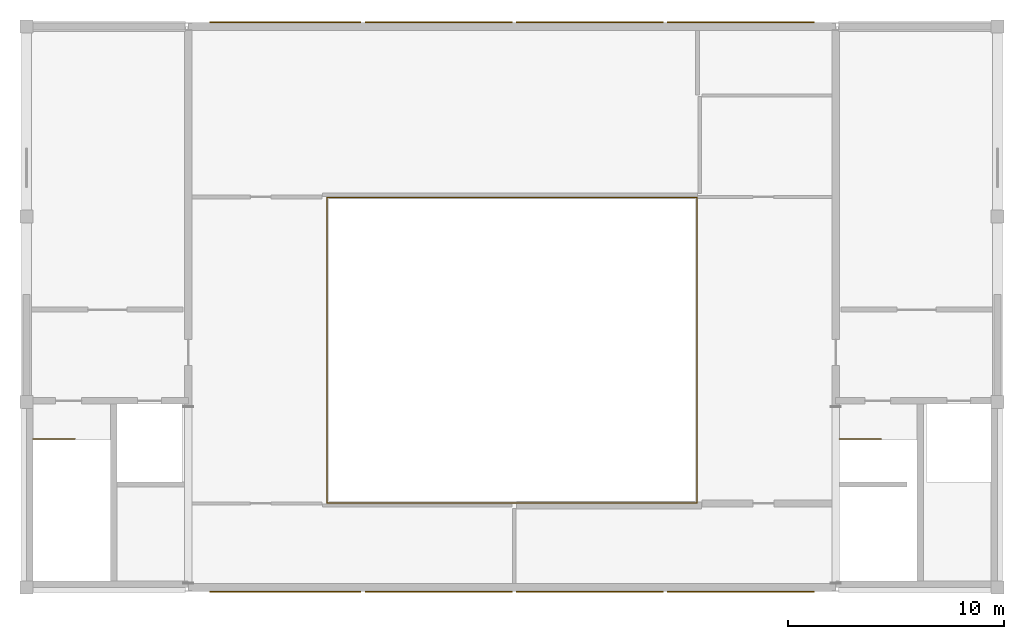
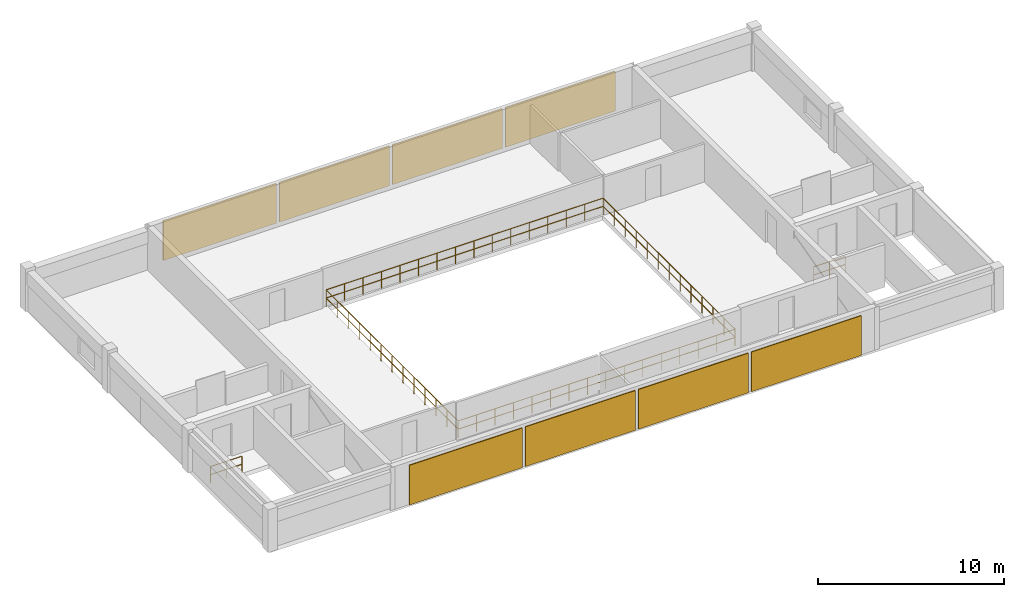
# One storey, part 6 of 6: 8 coverings, 6 railings.
"""IFC4 building model written with IfcOpenShell, lengths in metres."""

from ifc_helpers import new_model, si_unit, direction, frame, origin, origin_2d, place, context, subcontext, project, spatial, rectangle, circle, extrude, material, layer, layer_set, type_object, element, save


model = new_model("IFC4")

# Units and contexts
model_context = context("Model", 3, precision=1e-05, world=origin(), true_north=direction((0.0, 1.0)))
body_context = subcontext(model_context, "Body", "Model", "MODEL_VIEW")
ifc_project = project(units=[si_unit("LENGTHUNIT", "METRE"), si_unit("AREAUNIT", "SQUARE_METRE"), si_unit("VOLUMEUNIT", "CUBIC_METRE"), si_unit("PLANEANGLEUNIT", "RADIAN"), si_unit("MASSUNIT", "GRAM", prefix="KILO")], contexts=[model_context])

# Site, building, storey
site_placement = place(None, origin())
site = spatial("IfcSite", under=ifc_project, at=site_placement, CompositionType="ELEMENT")
building_placement = place(site_placement, origin())
building = spatial("IfcBuilding", under=site, at=building_placement, Name="Muzn Square Opera House", CompositionType="ELEMENT")
storey_placement = place(building_placement, frame((0.0, 0.0, 28.199951171875)))
storey = spatial("IfcBuildingStorey", under=building, at=storey_placement, Name="L06", CompositionType="ELEMENT", Elevation=28.199951171875)

# Railings
ifc_material_1 = material(Name="Architectural bronze mashrabiya", Category="metal")
railing_type_1 = type_object("IfcRailingType", Name="Bronze Protective Balustrade 1120mm", PredefinedType="BALUSTRADE", material=ifc_material_1)
railing_1_placement = place(storey_placement, frame((79.419921875, 76.52001953125, 0.0)))
element("IfcRailing", 1, at=railing_1_placement, inside=storey, type_object=railing_type_1, Name="Void Edge Balustrade L06-0071", PredefinedType="BALUSTRADE", context=body_context, shape_type="SweptSolid", body=[
    extrude(circle(Radius=0.02392578125, at=origin_2d()), frame((0.0, 0.0, 1.09619140625), z_axis=(1.0, 0.0, 0.0), x_axis=(0.0, 1.0, 0.0)), (0.0, 0.0, 1.0), 17.16015625),
    extrude(circle(Radius=0.02392578125, at=origin_2d()), frame((0.0, 0.0, 0.56005859375), z_axis=(1.0, 0.0, 0.0), x_axis=(0.0, 1.0, 0.0)), (0.0, 0.0, 1.0), 17.16015625),
    extrude(circle(Radius=0.02099609375, at=origin_2d()), origin(), (0.0, 0.0, 1.0), 1.072021484375),
    extrude(circle(Radius=0.02099609375, at=origin_2d()), frame((1.14404296875, 0.0, 0.0)), (0.0, 0.0, 1.0), 1.072021484375),
    extrude(circle(Radius=0.02099609375, at=origin_2d()), frame((2.2880859375, 0.0, 0.0)), (0.0, 0.0, 1.0), 1.072021484375),
    extrude(circle(Radius=0.02099609375, at=origin_2d()), frame((3.43212890625, 0.0, 0.0)), (0.0, 0.0, 1.0), 1.072021484375),
    extrude(circle(Radius=0.02099609375, at=origin_2d()), frame((4.575927734375, 0.0, 0.0)), (0.0, 0.0, 1.0), 1.072021484375),
    extrude(circle(Radius=0.02099609375, at=origin_2d()), frame((5.719970703125, 0.0, 0.0)), (0.0, 0.0, 1.0), 1.072021484375),
    extrude(circle(Radius=0.02099609375, at=origin_2d()), frame((6.864013671875, 0.0, 0.0)), (0.0, 0.0, 1.0), 1.072021484375),
    extrude(circle(Radius=0.02099609375, at=origin_2d()), frame((8.008056640625, 0.0, 0.0)), (0.0, 0.0, 1.0), 1.072021484375),
    extrude(circle(Radius=0.02099609375, at=origin_2d()), frame((9.152099609375, 0.0, 0.0)), (0.0, 0.0, 1.0), 1.072021484375),
    extrude(circle(Radius=0.02099609375, at=origin_2d()), frame((10.296142578125, 0.0, 0.0)), (0.0, 0.0, 1.0), 1.072021484375),
    extrude(circle(Radius=0.02099609375, at=origin_2d()), frame((11.440185546875, 0.0, 0.0)), (0.0, 0.0, 1.0), 1.072021484375),
    extrude(circle(Radius=0.02099609375, at=origin_2d()), frame((12.584228515625, 0.0, 0.0)), (0.0, 0.0, 1.0), 1.072021484375),
    extrude(circle(Radius=0.02099609375, at=origin_2d()), frame((13.72802734375, 0.0, 0.0)), (0.0, 0.0, 1.0), 1.072021484375),
    extrude(circle(Radius=0.02099609375, at=origin_2d()), frame((14.8720703125, 0.0, 0.0)), (0.0, 0.0, 1.0), 1.072021484375),
    extrude(circle(Radius=0.02099609375, at=origin_2d()), frame((16.01611328125, 0.0, 0.0)), (0.0, 0.0, 1.0), 1.072021484375),
    extrude(circle(Radius=0.02099609375, at=origin_2d()), frame((17.16015625, 0.0, 0.0)), (0.0, 0.0, 1.0), 1.072021484375),
])
railing_2_placement = place(storey_placement, frame((96.580078125, 76.52001953125, 0.0)))
element("IfcRailing", 2, at=railing_2_placement, inside=storey, type_object=railing_type_1, Name="Void Edge Balustrade L06-0072", PredefinedType="BALUSTRADE", context=body_context, shape_type="SweptSolid", body=[
    extrude(circle(Radius=0.02392578125, at=origin_2d()), frame((0.0, 0.0, 1.09619140625), z_axis=(0.0, 1.0, 0.0), x_axis=(-1.0, 0.0, 0.0)), (0.0, 0.0, 1.0), 14.159912109375),
    extrude(circle(Radius=0.02392578125, at=origin_2d()), frame((0.0, 0.0, 0.56005859375), z_axis=(0.0, 1.0, 0.0), x_axis=(-1.0, 0.0, 0.0)), (0.0, 0.0, 1.0), 14.159912109375),
    extrude(circle(Radius=0.02099609375, at=origin_2d()), origin(), (0.0, 0.0, 1.0), 1.072021484375),
    extrude(circle(Radius=0.02099609375, at=origin_2d()), frame((0.0, 1.179931640625, 0.0)), (0.0, 0.0, 1.0), 1.072021484375),
    extrude(circle(Radius=0.02099609375, at=origin_2d()), frame((0.0, 2.35986328125, 0.0)), (0.0, 0.0, 1.0), 1.072021484375),
    extrude(circle(Radius=0.02099609375, at=origin_2d()), frame((0.0, 3.5400390625, 0.0)), (0.0, 0.0, 1.0), 1.072021484375),
    extrude(circle(Radius=0.02099609375, at=origin_2d()), frame((0.0, 4.719970703125, 0.0)), (0.0, 0.0, 1.0), 1.072021484375),
    extrude(circle(Radius=0.02099609375, at=origin_2d()), frame((0.0, 5.89990234375, 0.0)), (0.0, 0.0, 1.0), 1.072021484375),
    extrude(circle(Radius=0.02099609375, at=origin_2d()), frame((0.0, 7.080078125, 0.0)), (0.0, 0.0, 1.0), 1.072021484375),
    extrude(circle(Radius=0.02099609375, at=origin_2d()), frame((0.0, 8.260009765625, 0.0)), (0.0, 0.0, 1.0), 1.072021484375),
    extrude(circle(Radius=0.02099609375, at=origin_2d()), frame((0.0, 9.43994140625, 0.0)), (0.0, 0.0, 1.0), 1.072021484375),
    extrude(circle(Radius=0.02099609375, at=origin_2d()), frame((0.0, 10.619873046875, 0.0)), (0.0, 0.0, 1.0), 1.072021484375),
    extrude(circle(Radius=0.02099609375, at=origin_2d()), frame((0.0, 11.7998046875, 0.0)), (0.0, 0.0, 1.0), 1.072021484375),
    extrude(circle(Radius=0.02099609375, at=origin_2d()), frame((0.0, 12.97998046875, 0.0)), (0.0, 0.0, 1.0), 1.072021484375),
    extrude(circle(Radius=0.02099609375, at=origin_2d()), frame((0.0, 14.159912109375, 0.0)), (0.0, 0.0, 1.0), 1.072021484375),
])
railing_3_placement = place(storey_placement, frame((96.580078125, 90.679931640625, 0.0)))
element("IfcRailing", 3, at=railing_3_placement, inside=storey, type_object=railing_type_1, Name="Void Edge Balustrade L06-0073", PredefinedType="BALUSTRADE", context=body_context, shape_type="SweptSolid", body=[
    extrude(circle(Radius=0.02392578125, at=origin_2d()), frame((0.0, 0.0, 1.09619140625), z_axis=(-1.0, 0.0, 0.0), x_axis=(0.0, -1.0, 0.0)), (0.0, 0.0, 1.0), 17.16015625),
    extrude(circle(Radius=0.02392578125, at=origin_2d()), frame((0.0, 0.0, 0.56005859375), z_axis=(-1.0, 0.0, 0.0), x_axis=(0.0, -1.0, 0.0)), (0.0, 0.0, 1.0), 17.16015625),
    extrude(circle(Radius=0.02099609375, at=origin_2d()), origin(), (0.0, 0.0, 1.0), 1.072021484375),
    extrude(circle(Radius=0.02099609375, at=origin_2d()), frame((-1.14404296875, 0.0, 0.0)), (0.0, 0.0, 1.0), 1.072021484375),
    extrude(circle(Radius=0.02099609375, at=origin_2d()), frame((-2.2880859375, 0.0, 0.0)), (0.0, 0.0, 1.0), 1.072021484375),
    extrude(circle(Radius=0.02099609375, at=origin_2d()), frame((-3.43212890625, 0.0, 0.0)), (0.0, 0.0, 1.0), 1.072021484375),
    extrude(circle(Radius=0.02099609375, at=origin_2d()), frame((-4.575927734375, 0.0, 0.0)), (0.0, 0.0, 1.0), 1.072021484375),
    extrude(circle(Radius=0.02099609375, at=origin_2d()), frame((-5.719970703125, 0.0, 0.0)), (0.0, 0.0, 1.0), 1.072021484375),
    extrude(circle(Radius=0.02099609375, at=origin_2d()), frame((-6.864013671875, 0.0, 0.0)), (0.0, 0.0, 1.0), 1.072021484375),
    extrude(circle(Radius=0.02099609375, at=origin_2d()), frame((-8.008056640625, 0.0, 0.0)), (0.0, 0.0, 1.0), 1.072021484375),
    extrude(circle(Radius=0.02099609375, at=origin_2d()), frame((-9.152099609375, 0.0, 0.0)), (0.0, 0.0, 1.0), 1.072021484375),
    extrude(circle(Radius=0.02099609375, at=origin_2d()), frame((-10.296142578125, 0.0, 0.0)), (0.0, 0.0, 1.0), 1.072021484375),
    extrude(circle(Radius=0.02099609375, at=origin_2d()), frame((-11.440185546875, 0.0, 0.0)), (0.0, 0.0, 1.0), 1.072021484375),
    extrude(circle(Radius=0.02099609375, at=origin_2d()), frame((-12.584228515625, 0.0, 0.0)), (0.0, 0.0, 1.0), 1.072021484375),
    extrude(circle(Radius=0.02099609375, at=origin_2d()), frame((-13.72802734375, 0.0, 0.0)), (0.0, 0.0, 1.0), 1.072021484375),
    extrude(circle(Radius=0.02099609375, at=origin_2d()), frame((-14.8720703125, 0.0, 0.0)), (0.0, 0.0, 1.0), 1.072021484375),
    extrude(circle(Radius=0.02099609375, at=origin_2d()), frame((-16.01611328125, 0.0, 0.0)), (0.0, 0.0, 1.0), 1.072021484375),
    extrude(circle(Radius=0.02099609375, at=origin_2d()), frame((-17.16015625, 0.0, 0.0)), (0.0, 0.0, 1.0), 1.072021484375),
])
railing_4_placement = place(storey_placement, frame((79.419921875, 90.679931640625, 0.0)))
element("IfcRailing", 4, at=railing_4_placement, inside=storey, type_object=railing_type_1, Name="Void Edge Balustrade L06-0074", PredefinedType="BALUSTRADE", context=body_context, shape_type="SweptSolid", body=[
    extrude(circle(Radius=0.02392578125, at=origin_2d()), frame((0.0, 0.0, 1.09619140625), z_axis=(0.0, -1.0, 0.0), x_axis=(1.0, 0.0, 0.0)), (0.0, 0.0, 1.0), 14.159912109375),
    extrude(circle(Radius=0.02392578125, at=origin_2d()), frame((0.0, 0.0, 0.56005859375), z_axis=(0.0, -1.0, 0.0), x_axis=(1.0, 0.0, 0.0)), (0.0, 0.0, 1.0), 14.159912109375),
    extrude(circle(Radius=0.02099609375, at=origin_2d()), origin(), (0.0, 0.0, 1.0), 1.072021484375),
    extrude(circle(Radius=0.02099609375, at=origin_2d()), frame((0.0, -1.179931640625, 0.0)), (0.0, 0.0, 1.0), 1.072021484375),
    extrude(circle(Radius=0.02099609375, at=origin_2d()), frame((0.0, -2.35986328125, 0.0)), (0.0, 0.0, 1.0), 1.072021484375),
    extrude(circle(Radius=0.02099609375, at=origin_2d()), frame((0.0, -3.5400390625, 0.0)), (0.0, 0.0, 1.0), 1.072021484375),
    extrude(circle(Radius=0.02099609375, at=origin_2d()), frame((0.0, -4.719970703125, 0.0)), (0.0, 0.0, 1.0), 1.072021484375),
    extrude(circle(Radius=0.02099609375, at=origin_2d()), frame((0.0, -5.89990234375, 0.0)), (0.0, 0.0, 1.0), 1.072021484375),
    extrude(circle(Radius=0.02099609375, at=origin_2d()), frame((0.0, -7.080078125, 0.0)), (0.0, 0.0, 1.0), 1.072021484375),
    extrude(circle(Radius=0.02099609375, at=origin_2d()), frame((0.0, -8.260009765625, 0.0)), (0.0, 0.0, 1.0), 1.072021484375),
    extrude(circle(Radius=0.02099609375, at=origin_2d()), frame((0.0, -9.43994140625, 0.0)), (0.0, 0.0, 1.0), 1.072021484375),
    extrude(circle(Radius=0.02099609375, at=origin_2d()), frame((0.0, -10.619873046875, 0.0)), (0.0, 0.0, 1.0), 1.072021484375),
    extrude(circle(Radius=0.02099609375, at=origin_2d()), frame((0.0, -11.7998046875, 0.0)), (0.0, 0.0, 1.0), 1.072021484375),
    extrude(circle(Radius=0.02099609375, at=origin_2d()), frame((0.0, -12.97998046875, 0.0)), (0.0, 0.0, 1.0), 1.072021484375),
    extrude(circle(Radius=0.02099609375, at=origin_2d()), frame((0.0, -14.159912109375, 0.0)), (0.0, 0.0, 1.0), 1.072021484375),
])

# Coverings
ifc_material_2 = material(Name="Honed Riyadh limestone", Category="stone")
ifc_layer = layer(ifc_material_2, 0.06005859375, Name="Honed Riyadh limestone", Category="stone")
ifc_layer_set = layer_set([ifc_layer], Name="Honed Riyadh limestone")
covering_type = type_object("IfcCoveringType", Name="Honed Riyadh Limestone Facade Cladding", PredefinedType="CLADDING", material=ifc_layer_set)
covering_1_placement = place(storey_placement, frame((77.5, 72.39990234375, 0.0), z_axis=(0.0, 0.0, 1.0), x_axis=(1.0, 0.0, 0.0)))
element("IfcCovering", 5, at=covering_1_placement, inside=storey, type_object=covering_type, Name="Honed Riyadh Limestone Cladding Panel CLD-FT-L06-17", PredefinedType="CLADDING", context=body_context, shape_type="SweptSolid", body=[
    extrude(rectangle(XDim=7.0, YDim=0.06005859375, at=origin_2d()), origin(), (0.0, 0.0, 1.0), 2.60009765625),
])
for number, where, z_axis, x_axis, name in (
    (6, (84.60009765625, 72.39990234375, 0.0), (0.0, 0.0, 1.0), (1.0, 0.0, 0.0), "Honed Riyadh Limestone Cladding Panel CLD-FT-L06-18"),
    (7, (91.60009765625, 72.39990234375, 0.0), (0.0, 0.0, 1.0), (1.0, 0.0, 0.0), "Honed Riyadh Limestone Cladding Panel CLD-FT-L06-19"),
    (8, (98.60009765625, 72.39990234375, 0.0), (0.0, 0.0, 1.0), (1.0, 0.0, 0.0), "Honed Riyadh Limestone Cladding Panel CLD-FT-L06-20"),
):
    element("IfcCovering", number, at=place(storey_placement, frame(where, z_axis=z_axis, x_axis=x_axis)), inside=storey, type_object=covering_type, Name=name, PredefinedType="CLADDING", context=body_context, shape_type="SweptSolid", body=[
        extrude(rectangle(XDim=6.800048828125, YDim=0.06005859375, at=origin_2d()), origin(), (0.0, 0.0, 1.0), 2.60009765625),
    ])
covering_2_placement = place(storey_placement, frame((77.5, 98.800048828125, 0.0), z_axis=(0.0, 0.0, 1.0), x_axis=(1.0, 0.0, 0.0)))
element("IfcCovering", 9, at=covering_2_placement, inside=storey, type_object=covering_type, Name="Honed Riyadh Limestone Cladding Panel CLD-FT-L06-21", PredefinedType="CLADDING", context=body_context, shape_type="SweptSolid", body=[
    extrude(rectangle(XDim=7.0, YDim=0.06005859375, at=origin_2d()), origin(), (0.0, 0.0, 1.0), 2.60009765625),
])
for number, where, z_axis, x_axis, name in (
    (10, (84.60009765625, 98.800048828125, 0.0), (0.0, 0.0, 1.0), (1.0, 0.0, 0.0), "Honed Riyadh Limestone Cladding Panel CLD-FT-L06-22"),
    (11, (91.60009765625, 98.800048828125, 0.0), (0.0, 0.0, 1.0), (1.0, 0.0, 0.0), "Honed Riyadh Limestone Cladding Panel CLD-FT-L06-23"),
    (12, (98.60009765625, 98.800048828125, 0.0), (0.0, 0.0, 1.0), (1.0, 0.0, 0.0), "Honed Riyadh Limestone Cladding Panel CLD-FT-L06-24"),
):
    element("IfcCovering", number, at=place(storey_placement, frame(where, z_axis=z_axis, x_axis=x_axis)), inside=storey, type_object=covering_type, Name=name, PredefinedType="CLADDING", context=body_context, shape_type="SweptSolid", body=[
        extrude(rectangle(XDim=6.800048828125, YDim=0.06005859375, at=origin_2d()), origin(), (0.0, 0.0, 1.0), 2.60009765625),
    ])

# Railings
ifc_material_3 = material(Name="Brushed stainless steel", Category="metal")
railing_type_2 = type_object("IfcRailingType", Name="Stair Guard Railing 1120mm", PredefinedType="GUARDRAIL", material=ifc_material_3)
railing_5_placement = place(storey_placement, frame((65.800048828125, 79.489990234375, 0.0)))
element("IfcRailing", 13, at=railing_5_placement, inside=storey, type_object=railing_type_2, Name="L06 ST-1 top well guard 1", PredefinedType="GUARDRAIL", context=body_context, shape_type="SweptSolid", body=[
    extrude(circle(Radius=0.02392578125, at=origin_2d()), frame((0.0, 0.0, 1.076171875), z_axis=(1.0, 0.0, 0.0), x_axis=(0.0, 1.0, 0.0)), (0.0, 0.0, 1.0), 1.93994140625),
    extrude(circle(Radius=0.02392578125, at=origin_2d()), frame((0.0, 0.0, 0.550048828125), z_axis=(1.0, 0.0, 0.0), x_axis=(0.0, 1.0, 0.0)), (0.0, 0.0, 1.0), 1.93994140625),
    extrude(circle(Radius=0.02099609375, at=origin_2d()), origin(), (0.0, 0.0, 1.0), 1.052001953125),
    extrude(circle(Radius=0.02099609375, at=origin_2d()), frame((0.969970703125, 0.0, 0.0)), (0.0, 0.0, 1.0), 1.052001953125),
    extrude(circle(Radius=0.02099609375, at=origin_2d()), frame((1.93994140625, 0.0, 0.0)), (0.0, 0.0, 1.0), 1.052001953125),
])
railing_6_placement = place(storey_placement, frame((103.169921875, 79.489990234375, 0.0)))
element("IfcRailing", 14, at=railing_6_placement, inside=storey, type_object=railing_type_2, Name="L06 ST-2 top well guard 1", PredefinedType="GUARDRAIL", context=body_context, shape_type="SweptSolid", body=[
    extrude(circle(Radius=0.02392578125, at=origin_2d()), frame((0.0, 0.0, 1.076171875), z_axis=(1.0, 0.0, 0.0), x_axis=(0.0, 1.0, 0.0)), (0.0, 0.0, 1.0), 1.940185546875),
    extrude(circle(Radius=0.02392578125, at=origin_2d()), frame((0.0, 0.0, 0.550048828125), z_axis=(1.0, 0.0, 0.0), x_axis=(0.0, 1.0, 0.0)), (0.0, 0.0, 1.0), 1.940185546875),
    extrude(circle(Radius=0.02099609375, at=origin_2d()), origin(), (0.0, 0.0, 1.0), 1.052001953125),
    extrude(circle(Radius=0.02099609375, at=origin_2d()), frame((0.97021484375, 0.0, 0.0)), (0.0, 0.0, 1.0), 1.052001953125),
    extrude(circle(Radius=0.02099609375, at=origin_2d()), frame((1.940185546875, 0.0, 0.0)), (0.0, 0.0, 1.0), 1.052001953125),
])

save(model, "model.ifc")
